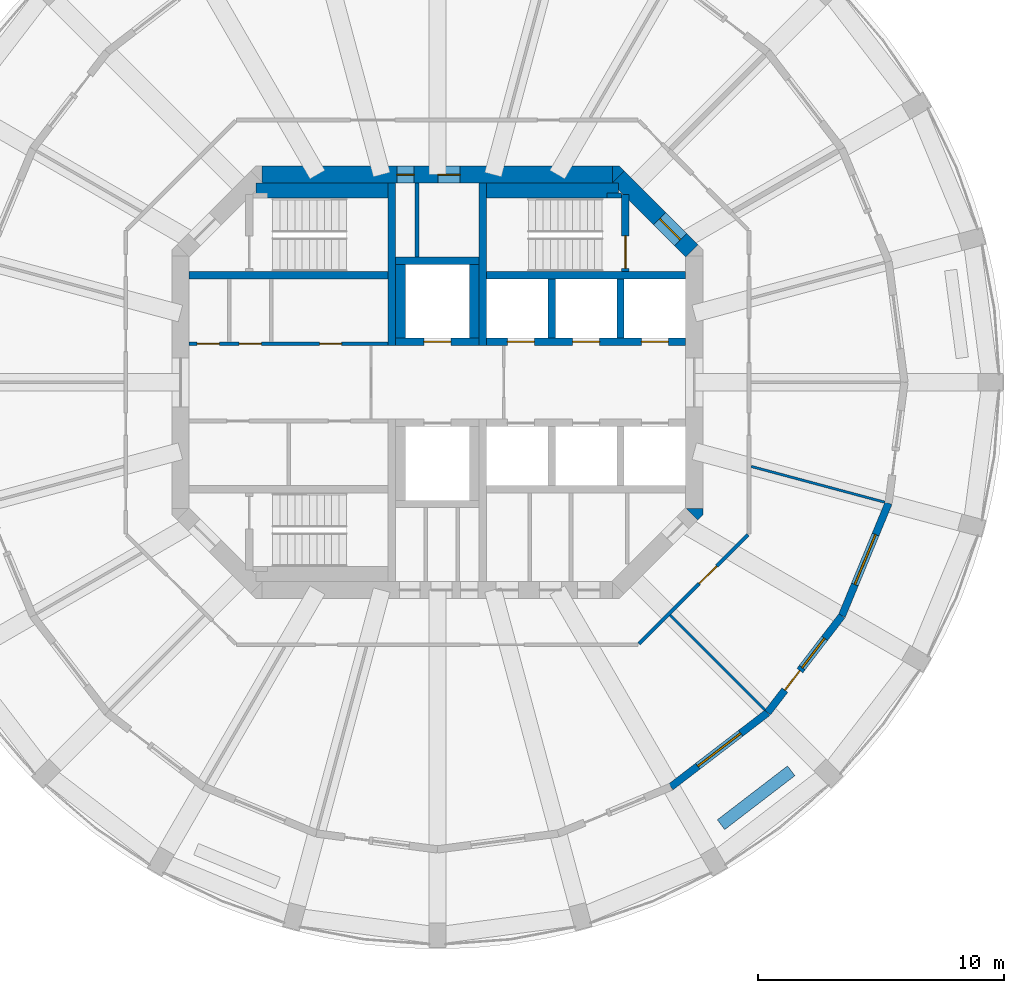
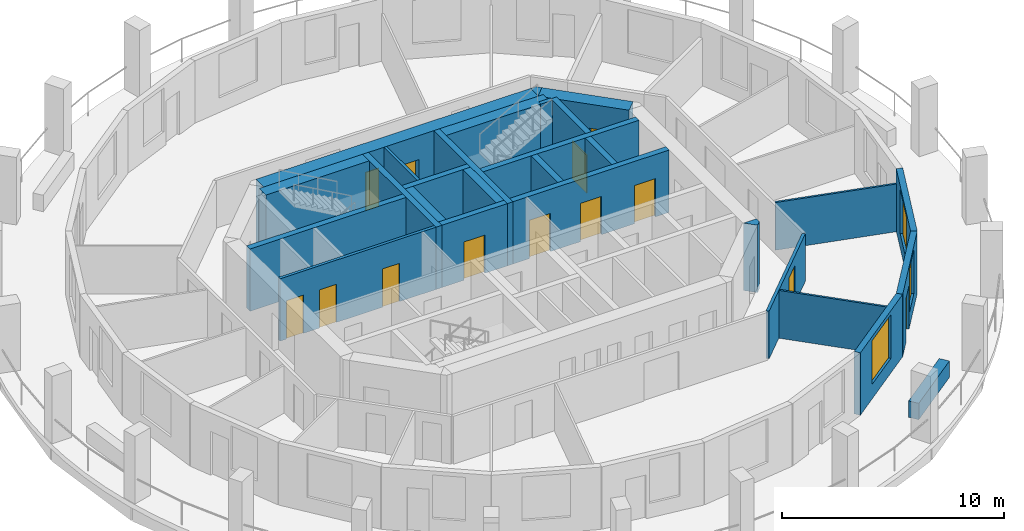
# One storey, part 5 of 9: 28 walls, 13 doors, 3 windows, 16 openings.
"""IFC4 building model written with IfcOpenShell, lengths in metres."""

import ifcopenshell
import ifcopenshell.guid

model = None  # the IFC model being written
_history = None  # IfcOwnerHistory: only IFC2X3 demands one
_inside = {}  # id of a spatial element -> (the spatial element, [elements in it])
_under = {}  # id of a project, library or spatial element -> (it, [spatial elements below it])
_declared = {}  # id of a project -> (the project, [libraries it declares])
_typed = {}  # id of a type object -> (the type object, [elements of that type])
_made_of = {}  # id of a material, layer set ... -> (it, [elements and type objects made of it])


def new_model(schema):
    """Start an empty IFC model of exactly this schema.

    Asked for "IFC4X3", IfcOpenShell would pick the latest addendum, in which some entities
    have other attributes; the version numbers below select the first issue.
    IFC2X3 requires an IfcOwnerHistory on every rooted entity: one is made here for all.
    """
    global model, _history
    if schema == "IFC4X3":
        model = ifcopenshell.file(schema_version=(4, 3, 0, 0))
    else:
        model = ifcopenshell.file(schema=schema)
    _inside.clear()
    _under.clear()
    _declared.clear()
    _typed.clear()
    _made_of.clear()
    _history = None
    if model.schema == "IFC2X3":
        org = make("IfcOrganization", Name="unknown")
        user = make(
            "IfcPersonAndOrganization",
            ThePerson=make("IfcPerson", FamilyName="unknown"),
            TheOrganization=org,
        )
        app = make(
            "IfcApplication",
            ApplicationDeveloper=org,
            Version="unknown",
            ApplicationFullName="unknown",
            ApplicationIdentifier="unknown",
        )
        _history = make(
            "IfcOwnerHistory",
            OwningUser=user,
            OwningApplication=app,
            ChangeAction="ADDED",
            CreationDate=0,
        )
    return model


def make(cls, **values):
    """One entity of the class cls with the attributes given. An attribute that is None is left unset."""
    return model.create_entity(
        cls, **{name: value for name, value in values.items() if value is not None}
    )


def rooted(cls, **values):
    """An entity with a GlobalId (a new one), such as an element, a storey or a relation."""
    return make(cls, GlobalId=ifcopenshell.guid.new(), OwnerHistory=_history, **values)


def si_unit(unit_type, name, prefix=None):
    """IfcSIUnit, for example si_unit("LENGTHUNIT", "METRE", prefix="MILLI")."""
    return make("IfcSIUnit", UnitType=unit_type, Prefix=prefix, Name=name)


def assignment(units):
    """IfcUnitAssignment: the units of a project."""
    return None if units is None else make("IfcUnitAssignment", Units=units)


def point(xyz):
    """IfcCartesianPoint."""
    return None if xyz is None else make("IfcCartesianPoint", Coordinates=xyz)


def direction(xyz):
    """IfcDirection."""
    return None if xyz is None else make("IfcDirection", DirectionRatios=xyz)


def frame(location, z_axis=None, x_axis=None):
    """IfcAxis2Placement3D, a coordinate frame: its origin and axes. An axis left out is left unset."""
    return make(
        "IfcAxis2Placement3D",
        Location=point(location),
        Axis=direction(z_axis),
        RefDirection=direction(x_axis),
    )


def frame_2d(location, x_axis=None):
    """IfcAxis2Placement2D, a coordinate frame in the plane: its origin and x axis."""
    return make(
        "IfcAxis2Placement2D", Location=point(location), RefDirection=direction(x_axis)
    )


def origin():
    """The frame at (0, 0, 0) with its axes left unset."""
    return frame((0.0, 0.0, 0.0))


def place(relative_to, where):
    """IfcLocalPlacement: puts the frame where relative to a parent placement (None: the world)."""
    return make(
        "IfcLocalPlacement", PlacementRelTo=relative_to, RelativePlacement=where
    )


def context(
    kind, dimensions, precision=None, world=None, true_north=None, identifier=None
):
    """IfcGeometricRepresentationContext, for example the 3D "Model" context."""
    return make(
        "IfcGeometricRepresentationContext",
        ContextIdentifier=identifier,
        ContextType=kind,
        CoordinateSpaceDimension=dimensions,
        Precision=precision,
        WorldCoordinateSystem=world,
        TrueNorth=true_north,
    )


def subcontext(parent, identifier, kind, view, scale=None):
    """IfcGeometricRepresentationSubContext, for example "Body" below "Model"."""
    return make(
        "IfcGeometricRepresentationSubContext",
        ContextIdentifier=identifier,
        ContextType=kind,
        ParentContext=parent,
        TargetScale=scale,
        TargetView=view,
    )


def project(units=None, contexts=None):
    """IfcProject with its units and contexts."""
    return rooted(
        "IfcProject",
        Name="project",
        RepresentationContexts=contexts,
        UnitsInContext=assignment(units),
    )


def spatial(cls, under=None, at=None, **own):
    """A site, building, storey or space (cls), placed at a placement, below another one or the project."""
    s = rooted(cls, ObjectPlacement=at, **own)
    if under is not None:
        _under.setdefault(under.id(), (under, []))[1].append(s)
    return s


def polyline(points):
    """IfcPolyline through the points."""
    return make("IfcPolyline", Points=[point(p) for p in points])


def profile(cls, at=None, kind="AREA", **sizes):
    """A parametric profile (cls). Its sizes go by their IFC names, for example OverallWidth=200.0."""
    return make(cls, ProfileType=kind, Position=at, **sizes)


def rectangle(**sizes):
    """IfcRectangleProfileDef."""
    return profile("IfcRectangleProfileDef", **sizes)


def outline(outer, holes=None, kind="AREA"):
    """IfcArbitraryClosedProfileDef: a profile drawn as a closed curve; with holes, ...WithVoids."""
    if holes is None:
        return make("IfcArbitraryClosedProfileDef", ProfileType=kind, OuterCurve=outer)
    return make(
        "IfcArbitraryProfileDefWithVoids",
        ProfileType=kind,
        OuterCurve=outer,
        InnerCurves=holes,
    )


def extrude(swept, where, along, depth):
    """IfcExtrudedAreaSolid: the profile swept, set in the frame where, extruded along a direction by depth."""
    return make(
        "IfcExtrudedAreaSolid",
        SweptArea=swept,
        Position=where,
        ExtrudedDirection=direction(along),
        Depth=depth,
    )


def shape(context_of_items, identifier, shape_type, items):
    """IfcShapeRepresentation: the items that make up one representation, for example the "Body"."""
    return make(
        "IfcShapeRepresentation",
        ContextOfItems=context_of_items,
        RepresentationIdentifier=identifier,
        RepresentationType=shape_type,
        Items=items,
    )


def material(Name=None, Category=None):
    """IfcMaterial."""
    return make("IfcMaterial", Name=Name, Category=Category)


def layer(
    of_material, thickness, ventilated=None, Name=None, Category=None, Priority=None
):
    """IfcMaterialLayer: one layer of a wall or slab, of a material (None: an air gap)."""
    return make(
        "IfcMaterialLayer",
        Material=of_material,
        LayerThickness=thickness,
        IsVentilated=ventilated,
        Name=Name,
        Category=Category,
        Priority=Priority,
    )


def layer_set(layers, Name=None):
    """IfcMaterialLayerSet."""
    return make("IfcMaterialLayerSet", MaterialLayers=layers, LayerSetName=Name)


def made_of(thing, what):
    """Note that an element or type object is made of a material, layer set ...; save() writes the relation."""
    if what is not None:
        _made_of.setdefault(what.id(), (what, []))[1].append(thing)
    return thing


def type_object(cls, material=None, **own):
    """A type object (cls), such as IfcWallType, which elements share."""
    return made_of(rooted(cls, **own), material)


def element(
    cls,
    number,
    at=None,
    inside=None,
    cuts=None,
    type_object=None,
    material=None,
    context=None,
    identifier="Body",
    shape_type=None,
    held_by="IfcProductDefinitionShape",
    body=None,
    shapes=None,
    **own,
):
    """One element of the class cls, such as IfcWall. Its Tag is "e" and its number.

    at: its placement. inside: the storey or other place that contains it. cuts: it is an
    opening in that element (IfcRelVoidsElement). A single representation is given by context,
    identifier, shape_type and body (its items); several are given by shapes. held_by: the class
    of the entity that holds the representations. save() writes the other relations.
    """
    e = rooted(cls, Tag="e%d" % number, ObjectPlacement=at, **own)
    if body is not None:
        shapes = [shape(context, identifier, shape_type, body)]
    if shapes is not None:
        e.Representation = make(held_by, Representations=shapes)
    if inside is not None:
        _inside.setdefault(inside.id(), (inside, []))[1].append(e)
    if cuts is not None:
        rooted(
            "IfcRelVoidsElement", RelatingBuildingElement=cuts, RelatedOpeningElement=e
        )
    if type_object is not None:
        _typed.setdefault(type_object.id(), (type_object, []))[1].append(e)
    return made_of(e, material)


def fill(opening, filler):
    """IfcRelFillsElement: the door or window that sits in an opening."""
    return rooted(
        "IfcRelFillsElement",
        RelatingOpeningElement=opening,
        RelatedBuildingElement=filler,
    )


def aggregate(whole, parts):
    """IfcRelAggregates: a whole, such as a stair, and the parts it consists of."""
    return rooted("IfcRelAggregates", RelatingObject=whole, RelatedObjects=parts)


def save(model, path):
    """Write the relations noted so far, then the file.

    IfcRelAggregates (storeys below a building ...), IfcRelContainedInSpatialStructure (elements
    in a storey), IfcRelDefinesByType, IfcRelAssociatesMaterial and IfcRelDeclares: one each for
    every whole, place, type object, material and project.
    """
    for whole, parts in _under.values():
        aggregate(whole, parts)
    for where, things in _inside.values():
        rooted(
            "IfcRelContainedInSpatialStructure",
            RelatedElements=things,
            RelatingStructure=where,
        )
    for kind, things in _typed.values():
        rooted("IfcRelDefinesByType", RelatedObjects=things, RelatingType=kind)
    for what, things in _made_of.values():
        rooted("IfcRelAssociatesMaterial", RelatedObjects=things, RelatingMaterial=what)
    for by, libraries in _declared.values():
        rooted("IfcRelDeclares", RelatingContext=by, RelatedDefinitions=libraries)
    model.write(path)


model = new_model("IFC4")

# Units and contexts
model_context = context("Model", 3, precision=1e-05, world=origin(), true_north=direction((0.0, 1.0)))
body_context = subcontext(model_context, "Body", "Model", "MODEL_VIEW")
ifc_project = project(units=[si_unit("LENGTHUNIT", "METRE"), si_unit("AREAUNIT", "SQUARE_METRE"), si_unit("VOLUMEUNIT", "CUBIC_METRE"), si_unit("PLANEANGLEUNIT", "RADIAN"), si_unit("MASSUNIT", "GRAM", prefix="KILO")], contexts=[model_context])

# Site, building, storey
site_placement = place(None, origin())
site = spatial("IfcSite", under=ifc_project, at=site_placement, CompositionType="ELEMENT")
building_placement = place(site_placement, origin())
building = spatial("IfcBuilding", under=site, at=building_placement, Name="Torre Triforio", CompositionType="ELEMENT")
storey_placement = place(building_placement, frame((0.0, 0.0, 165.300048828125)))
storey = spatial("IfcBuildingStorey", under=building, at=storey_placement, Name="L37", CompositionType="ELEMENT", Elevation=165.300048828125)

# Walls
ifc_material_1 = material(Name="Concrete C50", Category="concrete")
ifc_layer_1 = layer(ifc_material_1, 0.300048828125)
ifc_layer_set_1 = layer_set([ifc_layer_1], Name="Concrete C50")
wall_type_1 = type_object("IfcWallType", Name="Core wall 300 mm C50 EI 120", PredefinedType="SHEAR", material=ifc_layer_set_1)
for number, where, z_axis, x_axis, name in (
    (1, (-1.85009765625, 1.5, 0.0), (0.0, 0.0, 1.0), (0.0, 1.0, 0.0), "Core wall"),
    (2, (1.85009765625, 1.5, 0.0), (0.0, 0.0, 1.0), (0.0, 1.0, 0.0), "Core wall"),
):
    element("IfcWall", number, at=place(storey_placement, frame(where, z_axis=z_axis, x_axis=x_axis)), inside=storey, type_object=wall_type_1, Name=name, PredefinedType="SHEAR", context=body_context, shape_type="SweptSolid", body=[
        extrude(rectangle(XDim=6.60009765625, YDim=0.300048828125, at=frame_2d((3.300048828125, 0.0))), origin(), (0.0, 0.0, 1.0), 3.419921875),
    ])

# Wall, openings, doors
ifc_layer_2 = layer(ifc_material_1, 0.699951171875)
ifc_layer_set_2 = layer_set([ifc_layer_2], Name="Concrete C50")
wall_type_2 = type_object("IfcWallType", Name="Core wall 700 mm C50 EI 120", PredefinedType="SHEAR", material=ifc_layer_set_2)
wall_1_placement = place(storey_placement, frame((-7.1298828125, 8.449951171875, -0.280029296875), z_axis=(0.0, 0.0, 1.0), x_axis=(1.0, 0.0, 0.0)))
wall_1 = element("IfcWall", 3, at=wall_1_placement, inside=storey, type_object=wall_type_2, Name="Core wall", PredefinedType="SHEAR", context=body_context, shape_type="SweptSolid", body=[
    extrude(rectangle(XDim=14.259765625, YDim=0.699951171875, at=frame_2d((7.1298828125, 0.0))), origin(), (0.0, 0.0, 1.0), 3.699951171875),
])
opening_1_placement = place(wall_1_placement, frame((5.47998046875, 0.0, 0.280029296875)))
opening_1 = element("IfcOpeningElement", 4, at=opening_1_placement, cuts=wall_1, Name="Opening RISER-N", PredefinedType="OPENING", context=body_context, shape_type="SweptSolid", body=[
    extrude(rectangle(XDim=0.699951171875, YDim=2.10009765625, at=frame_2d((0.35009765625, 1.050048828125))), frame((0.0, 0.35986328125, 0.0), z_axis=(0.0, -1.0, 0.0), x_axis=(1.0, 0.0, 0.0)), (0.0, 0.0, 1.0), 0.719970703125),
])
opening_2_placement = place(wall_1_placement, frame((7.155029296875, 0.0, 0.280029296875)))
opening_2 = element("IfcOpeningElement", 5, at=opening_2_placement, cuts=wall_1, Name="Opening NE-01", PredefinedType="OPENING", context=body_context, shape_type="SweptSolid", body=[
    extrude(rectangle(XDim=0.89990234375, YDim=2.10009765625, at=frame_2d((0.449951171875, 1.050048828125))), frame((0.0, 0.35986328125, 0.0), z_axis=(0.0, -1.0, 0.0), x_axis=(1.0, 0.0, 0.0)), (0.0, 0.0, 1.0), 0.719970703125),
])
ifc_material_2 = material(Name="Hollow metal fire door leaf")
door_type_1 = type_object("IfcDoorType", Name="Riser door 700 x 2100 EI 60", OperationType="NOTDEFINED", PredefinedType="DOOR", material=ifc_material_2)
door_1_placement = place(opening_1_placement, origin())
door_1 = element("IfcDoor", 6, at=door_1_placement, inside=storey, type_object=door_type_1, Name="Core door RISER-N", OperationType="SINGLE_SWING_LEFT", OverallHeight=2.10009765625, OverallWidth=0.699951171875, PredefinedType="DOOR", context=body_context, shape_type="SweptSolid", body=[
    extrude(rectangle(XDim=0.699951171875, YDim=2.10009765625, at=frame_2d((0.35009765625, 1.050048828125))), frame((0.0, 0.02490234375, 0.0), z_axis=(0.0, -1.0, 0.0), x_axis=(1.0, 0.0, 0.0)), (0.0, 0.0, 1.0), 0.050048828125),
])
fill(opening_1, door_1)
door_type_2 = type_object("IfcDoorType", Name="Room door 900 x 2100 EI 60", OperationType="NOTDEFINED", PredefinedType="DOOR", material=ifc_material_2)
door_2_placement = place(opening_2_placement, origin())
door_2 = element("IfcDoor", 7, at=door_2_placement, inside=storey, type_object=door_type_2, Name="Core door NE-01", OperationType="SINGLE_SWING_RIGHT", OverallHeight=2.10009765625, OverallWidth=0.89990234375, PredefinedType="DOOR", context=body_context, shape_type="SweptSolid", body=[
    extrude(rectangle(XDim=0.89990234375, YDim=2.10009765625, at=frame_2d((0.449951171875, 1.050048828125))), frame((0.0, 0.02490234375, 0.0), z_axis=(0.0, -1.0, 0.0), x_axis=(1.0, 0.0, 0.0)), (0.0, 0.0, 1.0), 0.050048828125),
])
fill(opening_2, door_2)

# Wall, opening, door
wall_2_placement = place(storey_placement, frame((7.347412109375, 8.347412109375, -0.280029296875), z_axis=(0.0, 0.0, 1.0), x_axis=(0.707106781187, -0.707106781187, 0.0)))
wall_2 = element("IfcWall", 8, at=wall_2_placement, inside=storey, type_object=wall_type_2, Name="Core wall", PredefinedType="SHEAR", context=body_context, shape_type="SweptSolid", body=[
    extrude(rectangle(XDim=4.24267578125, YDim=0.699951171875, at=frame_2d((2.121337890625, 0.0))), origin(), (0.0, 0.0, 1.0), 3.699951171875),
])
opening_3_placement = place(wall_2_placement, frame((2.392578125, 0.0, 0.280029296875)))
opening_3 = element("IfcOpeningElement", 9, at=opening_3_placement, cuts=wall_2, Name="Opening ST2-EXIT", PredefinedType="OPENING", context=body_context, shape_type="SweptSolid", body=[
    extrude(rectangle(XDim=1.199951171875, YDim=2.10009765625, at=frame_2d((0.60009765625, 1.050048828125))), frame((0.0, 0.35986328125, 0.0), z_axis=(0.0, -1.0, 0.0), x_axis=(1.0, 0.0, 0.0)), (0.0, 0.0, 1.0), 0.719970703125),
])
door_type_3 = type_object("IfcDoorType", Name="Stair lobby door 1200 x 2100 EI 60", OperationType="NOTDEFINED", PredefinedType="DOOR", material=ifc_material_2)
door_3_placement = place(opening_3_placement, origin())
door_3 = element("IfcDoor", 10, at=door_3_placement, inside=storey, type_object=door_type_3, Name="Core door ST2-EXIT", OperationType="SINGLE_SWING_RIGHT", OverallHeight=2.10009765625, OverallWidth=1.199951171875, PredefinedType="DOOR", context=body_context, shape_type="SweptSolid", body=[
    extrude(rectangle(XDim=1.199951171875, YDim=2.10009765625, at=frame_2d((0.60009765625, 1.050048828125))), frame((0.0, 0.02490234375, 0.0), z_axis=(0.0, -1.0, 0.0), x_axis=(1.0, 0.0, 0.0)), (0.0, 0.0, 1.0), 0.050048828125),
])
fill(opening_3, door_3)

# Walls
wall_3_placement = place(storey_placement, frame((0.0, 0.0, -0.280029296875)))
element("IfcWall", 11, at=wall_3_placement, inside=storey, type_object=wall_type_2, Name="Core wall", PredefinedType="SHEAR", context=body_context, shape_type="SweptSolid", body=[
    extrude(outline(polyline([(10.800048828125, -5.389892578125), (10.594970703125, -5.594970703125), (10.594970703125, -5.594970703125), (10.594970703125, -5.594970703125), (10.1298828125, -5.1298828125), (10.800048828125, -5.1298828125), (10.800048828125, -5.1298828125), (10.800048828125, -5.389892578125)])), origin(), (0.0, 0.0, 1.0), 3.699951171875),
])
wall_4_placement = place(storey_placement, frame((0.0, 0.0, -0.280029296875)))
element("IfcWall", 12, at=wall_4_placement, inside=storey, type_object=wall_type_2, Name="Core wall", PredefinedType="SHEAR", context=body_context, shape_type="SweptSolid", body=[
    extrude(outline(polyline([(7.389892578125, 8.800048828125), (7.594970703125, 8.594970703125), (7.594970703125, 8.594970703125), (7.594970703125, 8.594970703125), (7.1298828125, 8.1298828125), (7.1298828125, 8.800048828125), (7.1298828125, 8.800048828125), (7.389892578125, 8.800048828125)])), origin(), (0.0, 0.0, 1.0), 3.699951171875),
])

# Wall, opening, door
ifc_material_3 = material(Name="Plasterboard on metal studs")
ifc_layer_3 = layer(ifc_material_3, 0.14990234375)
ifc_layer_set_3 = layer_set([ifc_layer_3], Name="Plasterboard on metal studs")
wall_type_3 = type_object("IfcWallType", Name="Corridor and tenancy wall 150 mm EI 60", PredefinedType="PARTITIONING", material=ifc_layer_set_3)
wall_5_placement = place(storey_placement, frame((12.637939453125, -6.20361328125, 0.0), z_axis=(0.0, 0.0, 1.0), x_axis=(-0.707106781187, -0.707106781187, 0.0)))
wall_5 = element("IfcWall", 13, at=wall_5_placement, inside=storey, type_object=wall_type_3, Name="Partition 1", PredefinedType="PARTITIONING", context=body_context, shape_type="SweptSolid", body=[
    extrude(rectangle(XDim=6.27099609375, YDim=0.14990234375, at=frame_2d((3.135498046875, 0.0))), origin(), (0.0, 0.0, 1.0), 2.619873046875),
])
opening_4_placement = place(wall_5_placement, frame((1.7998046875, 0.0, 0.0)))
opening_4 = element("IfcOpeningElement", 14, at=opening_4_placement, cuts=wall_5, Name="Opening O2-10", PredefinedType="OPENING", context=body_context, shape_type="SweptSolid", body=[
    extrude(rectangle(XDim=1.0, YDim=2.10009765625, at=frame_2d((0.5, 1.050048828125))), frame((0.0, 0.0849609375, 0.0), z_axis=(0.0, -1.0, 0.0), x_axis=(1.0, 0.0, 0.0)), (0.0, 0.0, 1.0), 0.169921875),
])
ifc_material_4 = material(Name="Timber", Category="wood")
door_type_4 = type_object("IfcDoorType", Name="Door 1000 x 2100 single leaf EI 30", OperationType="NOTDEFINED", PredefinedType="DOOR", material=ifc_material_4)
door_4_placement = place(opening_4_placement, origin())
door_4 = element("IfcDoor", 15, at=door_4_placement, inside=storey, type_object=door_type_4, Name="Door O2-10", OperationType="SINGLE_SWING_RIGHT", OverallHeight=2.10009765625, OverallWidth=1.0, PredefinedType="DOOR", context=body_context, shape_type="SweptSolid", body=[
    extrude(rectangle(XDim=1.0, YDim=2.10009765625, at=frame_2d((0.5, 1.050048828125))), frame((0.0, 0.02490234375, 0.0), z_axis=(0.0, -1.0, 0.0), x_axis=(1.0, 0.0, 0.0)), (0.0, 0.0, 1.0), 0.050048828125),
])
fill(opening_4, door_4)

# Walls
ifc_layer_4 = layer(ifc_material_3, 0.10009765625)
ifc_layer_set_4 = layer_set([ifc_layer_4], Name="Plasterboard on metal studs")
wall_type_4 = type_object("IfcWallType", Name="Partition 100 mm board on metal studs", PredefinedType="PARTITIONING", material=ifc_layer_set_4)
wall_6_placement = place(storey_placement, frame((9.473876953125, -9.473876953125, 0.0), z_axis=(0.0, 0.0, 1.0), x_axis=(0.707106781187, -0.707106781187, 0.0)))
element("IfcWall", 16, at=wall_6_placement, inside=storey, type_object=wall_type_4, Name="Partition 25", PredefinedType="PARTITIONING", context=body_context, shape_type="SweptSolid", body=[
    extrude(rectangle(XDim=5.438720703125, YDim=0.10009765625, at=frame_2d((2.71923828125, 0.0))), origin(), (0.0, 0.0, 1.0), 2.619873046875),
])
wall_7_placement = place(storey_placement, frame((12.764404296875, -3.420166015625, 0.0), z_axis=(0.0, 0.0, 1.0), x_axis=(0.965925759926, -0.258819292773, 0.0)))
element("IfcWall", 17, at=wall_7_placement, inside=storey, type_object=wall_type_4, Name="Partition 26", PredefinedType="PARTITIONING", context=body_context, shape_type="SweptSolid", body=[
    extrude(rectangle(XDim=5.6220703125, YDim=0.10009765625, at=frame_2d((2.81103515625, 0.0))), origin(), (0.0, 0.0, 1.0), 2.619873046875),
])
ifc_material_5 = material(Name="Block and board partition")
ifc_layer_5 = layer(ifc_material_5, 0.14990234375)
ifc_layer_set_5 = layer_set([ifc_layer_5], Name="Block and board partition")
wall_type_5 = type_object("IfcWallType", Name="Partition 150 mm EI 120", PredefinedType="PARTITIONING", material=ifc_layer_set_5)
wall_8_placement = place(storey_placement, frame((-0.824951171875, 5.10009765625, 0.0), z_axis=(0.0, 0.0, 1.0), x_axis=(0.0, 1.0, 0.0)))
element("IfcWall", 18, at=wall_8_placement, inside=storey, type_object=wall_type_5, Name="Partition", PredefinedType="PARTITIONING", context=body_context, shape_type="SweptSolid", body=[
    extrude(rectangle(XDim=3.0, YDim=0.14990234375, at=frame_2d((1.5, 0.0))), origin(), (0.0, 0.0, 1.0), 3.419921875),
])

# Wall, openings, doors
wall_9_placement = place(storey_placement, frame((-10.10009765625, 1.574951171875, 0.0), z_axis=(0.0, 0.0, 1.0), x_axis=(1.0, 0.0, 0.0)))
wall_9 = element("IfcWall", 19, at=wall_9_placement, inside=storey, type_object=wall_type_5, Name="Partition", PredefinedType="PARTITIONING", context=body_context, shape_type="SweptSolid", body=[
    extrude(rectangle(XDim=8.10009765625, YDim=0.14990234375, at=frame_2d((4.050048828125, 0.0))), origin(), (0.0, 0.0, 1.0), 3.419921875),
])
opening_5_placement = place(wall_9_placement, frame((0.330078125, 0.0, 0.0)))
opening_5 = element("IfcOpeningElement", 20, at=opening_5_placement, cuts=wall_9, Name="Opening FN-01", PredefinedType="OPENING", context=body_context, shape_type="SweptSolid", body=[
    extrude(rectangle(XDim=0.89990234375, YDim=2.10009765625, at=frame_2d((0.449951171875, 1.050048828125))), frame((0.0, 0.0849609375, 0.0), z_axis=(0.0, -1.0, 0.0), x_axis=(1.0, 0.0, 0.0)), (0.0, 0.0, 1.0), 0.169921875),
])
opening_6_placement = place(wall_9_placement, frame((2.0400390625, 0.0, 0.0)))
opening_6 = element("IfcOpeningElement", 21, at=opening_6_placement, cuts=wall_9, Name="Opening FN-02", PredefinedType="OPENING", context=body_context, shape_type="SweptSolid", body=[
    extrude(rectangle(XDim=0.89990234375, YDim=2.10009765625, at=frame_2d((0.449951171875, 1.050048828125))), frame((0.0, 0.0849609375, 0.0), z_axis=(0.0, -1.0, 0.0), x_axis=(1.0, 0.0, 0.0)), (0.0, 0.0, 1.0), 0.169921875),
])
opening_7_placement = place(wall_9_placement, frame((5.31005859375, 0.0, 0.0)))
opening_7 = element("IfcOpeningElement", 22, at=opening_7_placement, cuts=wall_9, Name="Opening FN-03", PredefinedType="OPENING", context=body_context, shape_type="SweptSolid", body=[
    extrude(rectangle(XDim=0.89990234375, YDim=2.10009765625, at=frame_2d((0.449951171875, 1.050048828125))), frame((0.0, 0.0849609375, 0.0), z_axis=(0.0, -1.0, 0.0), x_axis=(1.0, 0.0, 0.0)), (0.0, 0.0, 1.0), 0.169921875),
])
door_5_placement = place(opening_5_placement, origin())
door_5 = element("IfcDoor", 23, at=door_5_placement, inside=storey, type_object=door_type_2, Name="Core door FN-01", OperationType="SINGLE_SWING_RIGHT", OverallHeight=2.10009765625, OverallWidth=0.89990234375, PredefinedType="DOOR", context=body_context, shape_type="SweptSolid", body=[
    extrude(rectangle(XDim=0.89990234375, YDim=2.10009765625, at=frame_2d((0.449951171875, 1.050048828125))), frame((0.0, 0.02490234375, 0.0), z_axis=(0.0, -1.0, 0.0), x_axis=(1.0, 0.0, 0.0)), (0.0, 0.0, 1.0), 0.050048828125),
])
fill(opening_5, door_5)
door_6_placement = place(opening_6_placement, origin())
door_6 = element("IfcDoor", 24, at=door_6_placement, inside=storey, type_object=door_type_2, Name="Core door FN-02", OperationType="SINGLE_SWING_RIGHT", OverallHeight=2.10009765625, OverallWidth=0.89990234375, PredefinedType="DOOR", context=body_context, shape_type="SweptSolid", body=[
    extrude(rectangle(XDim=0.89990234375, YDim=2.10009765625, at=frame_2d((0.449951171875, 1.050048828125))), frame((0.0, 0.02490234375, 0.0), z_axis=(0.0, -1.0, 0.0), x_axis=(1.0, 0.0, 0.0)), (0.0, 0.0, 1.0), 0.050048828125),
])
fill(opening_6, door_6)
door_7_placement = place(opening_7_placement, origin())
door_7 = element("IfcDoor", 25, at=door_7_placement, inside=storey, type_object=door_type_2, Name="Core door FN-03", OperationType="SINGLE_SWING_RIGHT", OverallHeight=2.10009765625, OverallWidth=0.89990234375, PredefinedType="DOOR", context=body_context, shape_type="SweptSolid", body=[
    extrude(rectangle(XDim=0.89990234375, YDim=2.10009765625, at=frame_2d((0.449951171875, 1.050048828125))), frame((0.0, 0.02490234375, 0.0), z_axis=(0.0, -1.0, 0.0), x_axis=(1.0, 0.0, 0.0)), (0.0, 0.0, 1.0), 0.050048828125),
])
fill(opening_7, door_7)

# Walls
ifc_material_6 = material(Name="Limestone cladding", Category="masonry")
ifc_layer_6 = layer(ifc_material_6, 0.10009765625)
ifc_material_7 = material(Name="Concrete C40", Category="concrete")
ifc_layer_7 = layer(ifc_material_7, 0.39990234375)
ifc_layer_set_6 = layer_set([ifc_layer_6, ifc_layer_7], Name="Limestone cladding / Concrete C40")
wall_type_6 = type_object("IfcWallType", Name="Planter wall 500", PredefinedType="PARAPET", material=ifc_layer_set_6)
wall_10_placement = place(storey_placement, frame((11.53857421875, -17.994140625, 0.0), z_axis=(0.0, 0.0, 1.0), x_axis=(0.793384730612, 0.608720518162, 0.0)))
element("IfcWall", 26, at=wall_10_placement, inside=storey, type_object=wall_type_6, Name="Planter L37 bay 21", PredefinedType="PARAPET", context=body_context, shape_type="SweptSolid", body=[
    extrude(rectangle(XDim=3.60009765625, YDim=0.5, at=frame_2d((1.800048828125, 0.0))), origin(), (0.0, 0.0, 1.0), 0.89990234375),
])
ifc_layer_8 = layer(ifc_material_1, 0.300048828125)
ifc_layer_set_7 = layer_set([ifc_layer_8], Name="Concrete C50")
wall_type_7 = type_object("IfcWallType", Name="Shaft wall 300 mm C50 EI 120", PredefinedType="SOLIDWALL", material=ifc_layer_set_7)
for number, where, z_axis, x_axis, name in (
    (27, (-10.10009765625, 4.35009765625, 0.0), (0.0, 0.0, 1.0), (1.0, 0.0, 0.0), "Shaft wall"),
    (28, (2.0, 4.35009765625, 0.0), (0.0, 0.0, 1.0), (1.0, 0.0, 0.0), "Shaft wall"),
):
    element("IfcWall", number, at=place(storey_placement, frame(where, z_axis=z_axis, x_axis=x_axis)), inside=storey, type_object=wall_type_7, Name=name, PredefinedType="SOLIDWALL", context=body_context, shape_type="SweptSolid", body=[
        extrude(rectangle(XDim=8.10009765625, YDim=0.300048828125, at=frame_2d((4.050048828125, 0.0))), origin(), (0.0, 0.0, 1.0), 3.419921875),
    ])

# Wall, openings, doors
wall_11_placement = place(storey_placement, frame((2.0, 1.64990234375, 0.0), z_axis=(0.0, 0.0, 1.0), x_axis=(1.0, 0.0, 0.0)))
wall_11 = element("IfcWall", 29, at=wall_11_placement, inside=storey, type_object=wall_type_7, Name="Shaft wall", PredefinedType="SOLIDWALL", context=body_context, shape_type="SweptSolid", body=[
    extrude(rectangle(XDim=8.10009765625, YDim=0.300048828125, at=frame_2d((4.050048828125, 0.0))), origin(), (0.0, 0.0, 1.0), 3.419921875),
])
opening_8_placement = place(wall_11_placement, frame((0.85009765625, 0.0, 0.0)))
opening_8 = element("IfcOpeningElement", 30, at=opening_8_placement, cuts=wall_11, Name="Opening LD", PredefinedType="OPENING", context=body_context, shape_type="SweptSolid", body=[
    extrude(rectangle(XDim=1.10009765625, YDim=2.10009765625, at=frame_2d((0.550048828125, 1.050048828125))), frame((0.0, 0.159912109375, 0.0), z_axis=(0.0, -1.0, 0.0), x_axis=(1.0, 0.0, 0.0)), (0.0, 0.0, 1.0), 0.320068359375),
])
opening_9_placement = place(wall_11_placement, frame((3.5, 0.0, 0.0)))
opening_9 = element("IfcOpeningElement", 31, at=opening_9_placement, cuts=wall_11, Name="Opening LD", PredefinedType="OPENING", context=body_context, shape_type="SweptSolid", body=[
    extrude(rectangle(XDim=1.10009765625, YDim=2.10009765625, at=frame_2d((0.550048828125, 1.050048828125))), frame((0.0, 0.159912109375, 0.0), z_axis=(0.0, -1.0, 0.0), x_axis=(1.0, 0.0, 0.0)), (0.0, 0.0, 1.0), 0.320068359375),
])
opening_10_placement = place(wall_11_placement, frame((6.300048828125, 0.0, 0.0)))
opening_10 = element("IfcOpeningElement", 32, at=opening_10_placement, cuts=wall_11, Name="Opening LD", PredefinedType="OPENING", context=body_context, shape_type="SweptSolid", body=[
    extrude(rectangle(XDim=1.10009765625, YDim=2.10009765625, at=frame_2d((0.550048828125, 1.050048828125))), frame((0.0, 0.159912109375, 0.0), z_axis=(0.0, -1.0, 0.0), x_axis=(1.0, 0.0, 0.0)), (0.0, 0.0, 1.0), 0.320068359375),
])
door_type_5 = type_object("IfcDoorType", Name="Landing door 1100 x 2100 EI 60", OperationType="DOUBLE_DOOR_SLIDING", PredefinedType="DOOR", material=ifc_material_2)
door_8_placement = place(opening_8_placement, origin())
door_8 = element("IfcDoor", 33, at=door_8_placement, inside=storey, type_object=door_type_5, Name="Landing door HR1", OperationType="DOUBLE_DOOR_SLIDING", OverallHeight=2.10009765625, OverallWidth=1.10009765625, PredefinedType="DOOR", context=body_context, shape_type="SweptSolid", body=[
    extrude(rectangle(XDim=1.10009765625, YDim=2.10009765625, at=frame_2d((0.550048828125, 1.050048828125))), frame((0.0, 0.02490234375, 0.0), z_axis=(0.0, -1.0, 0.0), x_axis=(1.0, 0.0, 0.0)), (0.0, 0.0, 1.0), 0.050048828125),
])
fill(opening_8, door_8)
door_9_placement = place(opening_9_placement, origin())
door_9 = element("IfcDoor", 34, at=door_9_placement, inside=storey, type_object=door_type_5, Name="Landing door HR2", OperationType="DOUBLE_DOOR_SLIDING", OverallHeight=2.10009765625, OverallWidth=1.10009765625, PredefinedType="DOOR", context=body_context, shape_type="SweptSolid", body=[
    extrude(rectangle(XDim=1.10009765625, YDim=2.10009765625, at=frame_2d((0.550048828125, 1.050048828125))), frame((0.0, 0.02490234375, 0.0), z_axis=(0.0, -1.0, 0.0), x_axis=(1.0, 0.0, 0.0)), (0.0, 0.0, 1.0), 0.050048828125),
])
fill(opening_9, door_9)
door_10_placement = place(opening_10_placement, origin())
door_10 = element("IfcDoor", 35, at=door_10_placement, inside=storey, type_object=door_type_5, Name="Landing door HR3", OperationType="DOUBLE_DOOR_SLIDING", OverallHeight=2.10009765625, OverallWidth=1.10009765625, PredefinedType="DOOR", context=body_context, shape_type="SweptSolid", body=[
    extrude(rectangle(XDim=1.10009765625, YDim=2.10009765625, at=frame_2d((0.550048828125, 1.050048828125))), frame((0.0, 0.02490234375, 0.0), z_axis=(0.0, -1.0, 0.0), x_axis=(1.0, 0.0, 0.0)), (0.0, 0.0, 1.0), 0.050048828125),
])
fill(opening_10, door_10)

# Walls
for number, where, z_axis, x_axis, name in (
    (36, (4.64990234375, 1.800048828125, 0.0), (0.0, 0.0, 1.0), (0.0, 1.0, 0.0), "Shaft wall"),
    (37, (7.449951171875, 1.800048828125, 0.0), (0.0, 0.0, 1.0), (0.0, 1.0, 0.0), "Shaft wall"),
):
    element("IfcWall", number, at=place(storey_placement, frame(where, z_axis=z_axis, x_axis=x_axis)), inside=storey, type_object=wall_type_7, Name=name, PredefinedType="SOLIDWALL", context=body_context, shape_type="SweptSolid", body=[
        extrude(rectangle(XDim=2.39990234375, YDim=0.300048828125, at=frame_2d((1.199951171875, 0.0))), origin(), (0.0, 0.0, 1.0), 3.419921875),
    ])

# Wall, opening, door
wall_12_placement = place(storey_placement, frame((-1.699951171875, 1.64990234375, 0.0), z_axis=(0.0, 0.0, 1.0), x_axis=(1.0, 0.0, 0.0)))
wall_12 = element("IfcWall", 38, at=wall_12_placement, inside=storey, type_object=wall_type_7, Name="Shaft wall", PredefinedType="SOLIDWALL", context=body_context, shape_type="SweptSolid", body=[
    extrude(rectangle(XDim=3.39990234375, YDim=0.300048828125, at=frame_2d((1.699951171875, 0.0))), origin(), (0.0, 0.0, 1.0), 3.419921875),
])
opening_11_placement = place(wall_12_placement, frame((1.14990234375, 0.0, 0.0)))
opening_11 = element("IfcOpeningElement", 39, at=opening_11_placement, cuts=wall_12, Name="Opening LD", PredefinedType="OPENING", context=body_context, shape_type="SweptSolid", body=[
    extrude(rectangle(XDim=1.10009765625, YDim=2.10009765625, at=frame_2d((0.550048828125, 1.050048828125))), frame((0.0, 0.159912109375, 0.0), z_axis=(0.0, -1.0, 0.0), x_axis=(1.0, 0.0, 0.0)), (0.0, 0.0, 1.0), 0.320068359375),
])
door_11_placement = place(opening_11_placement, origin())
door_11 = element("IfcDoor", 40, at=door_11_placement, inside=storey, type_object=door_type_5, Name="Landing door FFL1", OperationType="DOUBLE_DOOR_SLIDING", OverallHeight=2.10009765625, OverallWidth=1.10009765625, PredefinedType="DOOR", context=body_context, shape_type="SweptSolid", body=[
    extrude(rectangle(XDim=1.10009765625, YDim=2.10009765625, at=frame_2d((0.550048828125, 1.050048828125))), frame((0.0, 0.02490234375, 0.0), z_axis=(0.0, -1.0, 0.0), x_axis=(1.0, 0.0, 0.0)), (0.0, 0.0, 1.0), 0.050048828125),
])
fill(opening_11, door_11)

# Walls
wall_13_placement = place(storey_placement, frame((-1.699951171875, 4.949951171875, 0.0), z_axis=(0.0, 0.0, 1.0), x_axis=(1.0, 0.0, 0.0)))
element("IfcWall", 41, at=wall_13_placement, inside=storey, type_object=wall_type_7, Name="Shaft wall", PredefinedType="SOLIDWALL", context=body_context, shape_type="SweptSolid", body=[
    extrude(rectangle(XDim=3.39990234375, YDim=0.300048828125, at=frame_2d((1.699951171875, 0.0))), origin(), (0.0, 0.0, 1.0), 3.419921875),
])
ifc_layer_9 = layer(ifc_material_1, 0.39990234375)
ifc_layer_set_8 = layer_set([ifc_layer_9], Name="Concrete C50")
wall_type_8 = type_object("IfcWallType", Name="Shaft wall 400 mm C50 EI 120", PredefinedType="SOLIDWALL", material=ifc_layer_set_8)
for number, where, z_axis, x_axis, name in (
    (42, (-1.5, 1.800048828125, 0.0), (0.0, 0.0, 1.0), (0.0, 1.0, 0.0), "Shaft wall"),
    (43, (1.5, 1.800048828125, 0.0), (0.0, 0.0, 1.0), (0.0, 1.0, 0.0), "Shaft wall"),
):
    element("IfcWall", number, at=place(storey_placement, frame(where, z_axis=z_axis, x_axis=x_axis)), inside=storey, type_object=wall_type_8, Name=name, PredefinedType="SOLIDWALL", context=body_context, shape_type="SweptSolid", body=[
        extrude(rectangle(XDim=3.0, YDim=0.39990234375, at=frame_2d((1.5, 0.0))), origin(), (0.0, 0.0, 1.0), 3.419921875),
    ])
ifc_layer_10 = layer(ifc_material_1, 0.199951171875)
ifc_layer_set_9 = layer_set([ifc_layer_10], Name="Concrete C50")
wall_type_9 = type_object("IfcWallType", Name="Stair wall 200 mm C50 EI 120", PredefinedType="SHEAR", material=ifc_layer_set_9)
wall_14_placement = place(storey_placement, frame((6.89990234375, 7.60009765625, 0.0), z_axis=(0.0, 0.0, 1.0), x_axis=(1.0, 0.0, 0.0)))
element("IfcWall", 44, at=wall_14_placement, inside=storey, type_object=wall_type_9, Name="Stair wall", PredefinedType="SHEAR", context=body_context, shape_type="SweptSolid", body=[
    extrude(rectangle(XDim=0.60009765625, YDim=0.199951171875, at=frame_2d((0.300048828125, 0.0))), origin(), (0.0, 0.0, 1.0), 3.419921875),
])

# Wall, opening, door
ifc_layer_11 = layer(ifc_material_1, 0.300048828125)
ifc_layer_set_10 = layer_set([ifc_layer_11], Name="Concrete C50")
wall_type_10 = type_object("IfcWallType", Name="Stair wall 300 mm C50 EI 120", PredefinedType="SHEAR", material=ifc_layer_set_10)
wall_15_placement = place(storey_placement, frame((7.64990234375, 4.5, 0.0), z_axis=(0.0, 0.0, 1.0), x_axis=(0.0, 1.0, 0.0)))
wall_15 = element("IfcWall", 45, at=wall_15_placement, inside=storey, type_object=wall_type_10, Name="Stair wall", PredefinedType="SHEAR", context=body_context, shape_type="SweptSolid", body=[
    extrude(rectangle(XDim=3.139892578125, YDim=0.300048828125, at=frame_2d((1.56982421875, 0.0))), origin(), (0.0, 0.0, 1.0), 3.419921875),
])
opening_12_placement = place(wall_15_placement, frame((0.139892578125, 0.0, 0.0)))
opening_12 = element("IfcOpeningElement", 46, at=opening_12_placement, cuts=wall_15, Name="Opening ST2-STA", PredefinedType="OPENING", context=body_context, shape_type="SweptSolid", body=[
    extrude(rectangle(XDim=1.320068359375, YDim=2.10009765625, at=frame_2d((0.66015625, 1.050048828125))), frame((0.0, 0.159912109375, 0.0), z_axis=(0.0, -1.0, 0.0), x_axis=(1.0, 0.0, 0.0)), (0.0, 0.0, 1.0), 0.320068359375),
])
door_type_6 = type_object("IfcDoorType", Name="Stair door 1320 x 2100 EI 90", OperationType="DOUBLE_DOOR_SINGLE_SWING", PredefinedType="DOOR", material=ifc_material_2)
door_12_placement = place(opening_12_placement, origin())
door_12 = element("IfcDoor", 47, at=door_12_placement, inside=storey, type_object=door_type_6, Name="Core door ST2-ST", OperationType="DOUBLE_DOOR_SINGLE_SWING", OverallHeight=2.10009765625, OverallWidth=1.320068359375, PredefinedType="DOOR", context=body_context, shape_type="SweptSolid", body=[
    extrude(rectangle(XDim=1.320068359375, YDim=2.10009765625, at=frame_2d((0.66015625, 1.050048828125))), frame((0.0, 0.02490234375, 0.0), z_axis=(0.0, -1.0, 0.0), x_axis=(1.0, 0.0, 0.0)), (0.0, 0.0, 1.0), 0.050048828125),
])
fill(opening_12, door_12)

# Walls
ifc_layer_12 = layer(ifc_material_1, 0.60009765625)
ifc_layer_set_11 = layer_set([ifc_layer_12], Name="Concrete C50")
wall_type_11 = type_object("IfcWallType", Name="Stair wall 600 mm C50 EI 120", PredefinedType="SHEAR", material=ifc_layer_set_11)
for number, where, z_axis, x_axis, name in (
    (48, (-7.3701171875, 7.800048828125, 0.0), (0.0, 0.0, 1.0), (1.0, 0.0, 0.0), "Stair wall"),
    (49, (2.0, 7.800048828125, 0.0), (0.0, 0.0, 1.0), (1.0, 0.0, 0.0), "Stair wall"),
):
    element("IfcWall", number, at=place(storey_placement, frame(where, z_axis=z_axis, x_axis=x_axis)), inside=storey, type_object=wall_type_11, Name=name, PredefinedType="SHEAR", context=body_context, shape_type="SweptSolid", body=[
        extrude(rectangle(XDim=5.3701171875, YDim=0.60009765625, at=frame_2d((2.68505859375, 0.0))), origin(), (0.0, 0.0, 1.0), 3.419921875),
    ])

# Wall, opening, window
ifc_layer_13 = layer(ifc_material_6, 0.10009765625)
ifc_layer_14 = layer(ifc_material_7, 0.199951171875)
ifc_layer_set_12 = layer_set([ifc_layer_13, ifc_layer_14], Name="Limestone cladding / Concrete C40")
wall_type_12 = type_object("IfcWallType", Name="Stone-faced composite wall 300", PredefinedType="STANDARD", material=ifc_layer_set_12)
wall_16_placement = place(storey_placement, frame((9.5, -16.45458984375, 0.0), z_axis=(0.0, 0.0, 1.0), x_axis=(0.793348024649, 0.608768356425, 0.0)))
wall_16 = element("IfcWall", 50, at=wall_16_placement, inside=storey, type_object=wall_type_12, Name="External wall L37 bay 21", PredefinedType="STANDARD", context=body_context, shape_type="SweptSolid", body=[
    extrude(rectangle(XDim=4.9599609375, YDim=0.300048828125, at=frame_2d((2.47998046875, 0.0))), origin(), (0.0, 0.0, 1.0), 3.419921875),
])
opening_13_placement = place(wall_16_placement, frame((1.3798828125, 0.0, 0.800048828125)))
opening_13 = element("IfcOpeningElement", 51, at=opening_13_placement, cuts=wall_16, Name="Opening O2-W21", PredefinedType="OPENING", context=body_context, shape_type="SweptSolid", body=[
    extrude(rectangle(XDim=2.199951171875, YDim=2.39990234375, at=frame_2d((1.10009765625, 1.199951171875))), frame((0.0, 0.159912109375, 0.0), z_axis=(0.0, -1.0, 0.0), x_axis=(1.0, 0.0, 0.0)), (0.0, 0.0, 1.0), 0.320068359375),
])
ifc_material_8 = material(Name="Aluminium frame with clear double glazing", Category="aluminium")
window_type_1 = type_object("IfcWindowType", Name="Punched window 2200 x 2400", PartitioningType="DOUBLE_PANEL_VERTICAL", PredefinedType="WINDOW", material=ifc_material_8)
window_1_placement = place(opening_13_placement, origin())
window_1 = element("IfcWindow", 52, at=window_1_placement, inside=storey, type_object=window_type_1, Name="Window EWN5 L37 bay 21", OverallHeight=2.39990234375, OverallWidth=2.199951171875, PartitioningType="SINGLE_PANEL", PredefinedType="WINDOW", context=body_context, shape_type="SweptSolid", body=[
    extrude(rectangle(XDim=2.199951171875, YDim=2.39990234375, at=frame_2d((1.10009765625, 1.199951171875))), frame((0.0, 0.030029296875, 0.0), z_axis=(0.0, -1.0, 0.0), x_axis=(1.0, 0.0, 0.0)), (0.0, 0.0, 1.0), 0.06005859375),
])
fill(opening_13, window_1)

# Wall, openings, door, window
wall_17_placement = place(storey_placement, frame((13.43505859375, -13.43505859375, 0.0), z_axis=(0.0, 0.0, 1.0), x_axis=(0.608768356425, 0.793348024649, 0.0)))
wall_17 = element("IfcWall", 53, at=wall_17_placement, inside=storey, type_object=wall_type_12, Name="External wall L37 bay 22", PredefinedType="STANDARD", context=body_context, shape_type="SweptSolid", body=[
    extrude(rectangle(XDim=4.9599609375, YDim=0.300048828125, at=frame_2d((2.47998046875, 0.0))), origin(), (0.0, 0.0, 1.0), 3.419921875),
])
opening_14_placement = place(wall_17_placement, frame((1.155029296875, 0.0, 0.0)))
opening_14 = element("IfcOpeningElement", 54, at=opening_14_placement, cuts=wall_17, Name="Opening O2-D22", PredefinedType="OPENING", context=body_context, shape_type="SweptSolid", body=[
    extrude(rectangle(XDim=1.0, YDim=2.39990234375, at=frame_2d((0.5, 1.199951171875))), frame((0.0, 0.159912109375, 0.0), z_axis=(0.0, -1.0, 0.0), x_axis=(1.0, 0.0, 0.0)), (0.0, 0.0, 1.0), 0.320068359375),
])
opening_15_placement = place(wall_17_placement, frame((2.304931640625, 0.0, 0.800048828125)))
opening_15 = element("IfcOpeningElement", 55, at=opening_15_placement, cuts=wall_17, Name="Opening O2-W22A", PredefinedType="OPENING", context=body_context, shape_type="SweptSolid", body=[
    extrude(rectangle(XDim=1.5, YDim=2.39990234375, at=frame_2d((0.75, 1.199951171875))), frame((0.0, 0.159912109375, 0.0), z_axis=(0.0, -1.0, 0.0), x_axis=(1.0, 0.0, 0.0)), (0.0, 0.0, 1.0), 0.320068359375),
])
door_type_7 = type_object("IfcDoorType", Name="Loggia door 1000 x 2400", OperationType="NOTDEFINED", PredefinedType="DOOR", material=ifc_material_8)
door_13_placement = place(opening_14_placement, origin())
door_13 = element("IfcDoor", 56, at=door_13_placement, inside=storey, type_object=door_type_7, Name="Loggia door L37 bay 22", OperationType="SINGLE_SWING_LEFT", OverallHeight=2.39990234375, OverallWidth=1.0, PredefinedType="DOOR", context=body_context, shape_type="SweptSolid", body=[
    extrude(rectangle(XDim=1.0, YDim=2.39990234375, at=frame_2d((0.5, 1.199951171875))), frame((0.0, 0.02490234375, 0.0), z_axis=(0.0, -1.0, 0.0), x_axis=(1.0, 0.0, 0.0)), (0.0, 0.0, 1.0), 0.050048828125),
])
fill(opening_14, door_13)
window_type_2 = type_object("IfcWindowType", Name="Side window 1500 x 2400", PartitioningType="SINGLE_PANEL", PredefinedType="WINDOW", material=ifc_material_8)
window_2_placement = place(opening_15_placement, origin())
window_2 = element("IfcWindow", 57, at=window_2_placement, inside=storey, type_object=window_type_2, Name="Side window EWN14 L37 bay 22", OverallHeight=2.39990234375, OverallWidth=1.5, PartitioningType="SINGLE_PANEL", PredefinedType="WINDOW", context=body_context, shape_type="SweptSolid", body=[
    extrude(rectangle(XDim=1.5, YDim=2.39990234375, at=frame_2d((0.75, 1.199951171875))), frame((0.0, 0.030029296875, 0.0), z_axis=(0.0, -1.0, 0.0), x_axis=(1.0, 0.0, 0.0)), (0.0, 0.0, 1.0), 0.06005859375),
])
fill(opening_15, window_2)

# Wall, opening, window
wall_18_placement = place(storey_placement, frame((16.45458984375, -9.5, 0.0), z_axis=(0.0, 0.0, 1.0), x_axis=(0.382650301762, 0.923893254961, 0.0)))
wall_18 = element("IfcWall", 58, at=wall_18_placement, inside=storey, type_object=wall_type_12, Name="External wall L37 bay 23", PredefinedType="STANDARD", context=body_context, shape_type="SweptSolid", body=[
    extrude(rectangle(XDim=4.9599609375, YDim=0.300048828125, at=frame_2d((2.47998046875, 0.0))), origin(), (0.0, 0.0, 1.0), 3.419921875),
])
opening_16_placement = place(wall_18_placement, frame((1.3798828125, 0.0, 0.800048828125)))
opening_16 = element("IfcOpeningElement", 59, at=opening_16_placement, cuts=wall_18, Name="Opening O2-W23", PredefinedType="OPENING", context=body_context, shape_type="SweptSolid", body=[
    extrude(rectangle(XDim=2.199951171875, YDim=2.39990234375, at=frame_2d((1.10009765625, 1.199951171875))), frame((0.0, 0.159912109375, 0.0), z_axis=(0.0, -1.0, 0.0), x_axis=(1.0, 0.0, 0.0)), (0.0, 0.0, 1.0), 0.320068359375),
])
window_3_placement = place(opening_16_placement, origin())
window_3 = element("IfcWindow", 60, at=window_3_placement, inside=storey, type_object=window_type_1, Name="Window EWN5 L37 bay 23", OverallHeight=2.39990234375, OverallWidth=2.199951171875, PartitioningType="SINGLE_PANEL", PredefinedType="WINDOW", context=body_context, shape_type="SweptSolid", body=[
    extrude(rectangle(XDim=2.199951171875, YDim=2.39990234375, at=frame_2d((1.10009765625, 1.199951171875))), frame((0.0, 0.030029296875, 0.0), z_axis=(0.0, -1.0, 0.0), x_axis=(1.0, 0.0, 0.0)), (0.0, 0.0, 1.0), 0.06005859375),
])
fill(opening_16, window_3)

save(model, "model.ifc")
